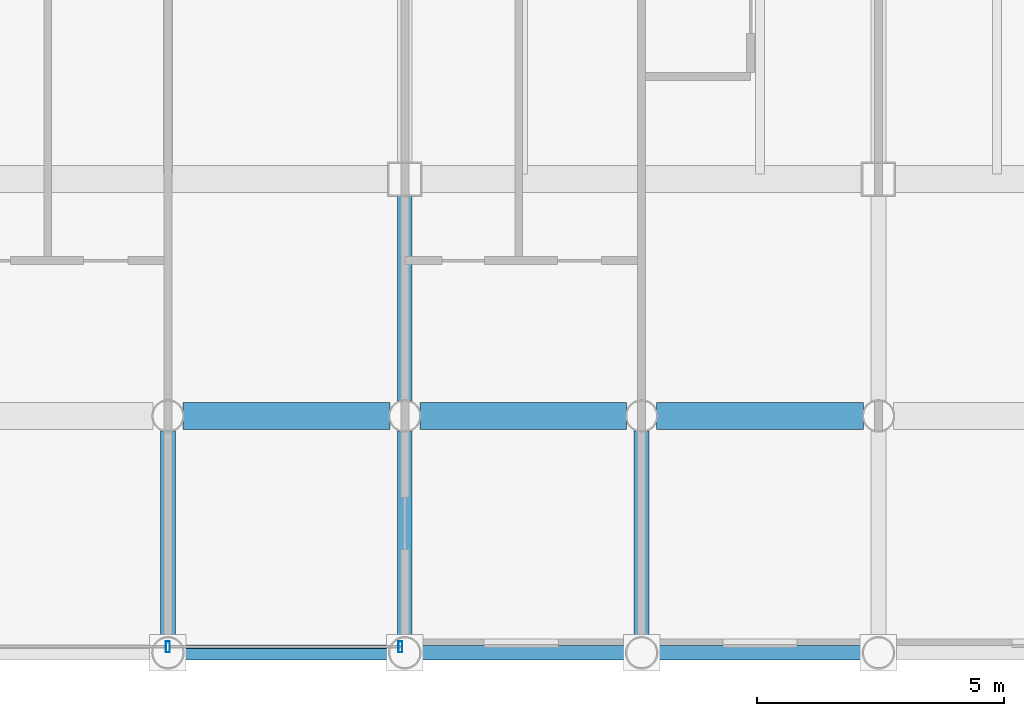
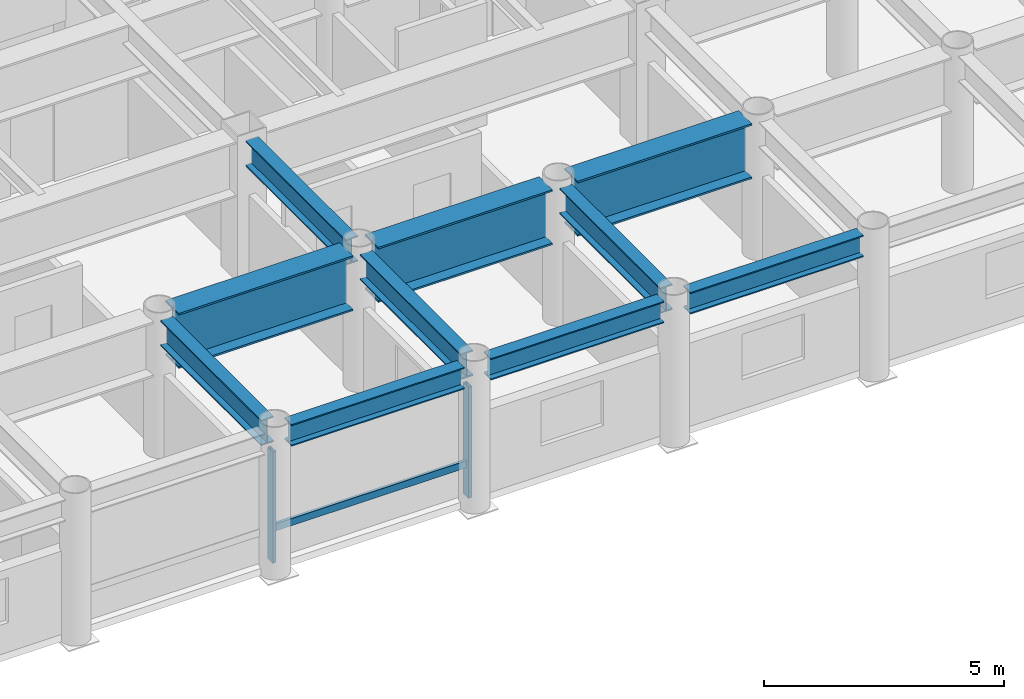
# One storey, part 7 of 22: 10 beams, 3 members, 1 element without a shape of its own.
"""IFC4 building model written with IfcOpenShell, lengths in metres."""

from ifc_helpers import new_model, si_unit, direction, frame, origin, origin_2d, place, context, subcontext, project, spatial, hollow_rectangle, i_section, extrude, material, layer, layer_set, material_profile, profile_set, type_object, element, aggregate, save


model = new_model("IFC4")

# Units and contexts
model_context = context("Model", 3, precision=1e-05, world=origin(), true_north=direction((0.0, 1.0)))
body_context = subcontext(model_context, "Body", "Model", "MODEL_VIEW")
ifc_project = project(units=[si_unit("LENGTHUNIT", "METRE"), si_unit("AREAUNIT", "SQUARE_METRE"), si_unit("VOLUMEUNIT", "CUBIC_METRE"), si_unit("PLANEANGLEUNIT", "RADIAN"), si_unit("MASSUNIT", "GRAM", prefix="KILO")], contexts=[model_context])

# Site, building, storey
site_placement = place(None, origin())
site = spatial("IfcSite", under=ifc_project, at=site_placement, CompositionType="ELEMENT")
building_placement = place(site_placement, origin())
building = spatial("IfcBuilding", under=site, at=building_placement, Name="Kallvorn Hotel Tower", CompositionType="ELEMENT")
storey_placement = place(building_placement, frame((0.0, 0.0, 154.39990234375)))
storey = spatial("IfcBuildingStorey", under=building, at=storey_placement, Name="L38", CompositionType="ELEMENT", Elevation=154.39990234375)

# Beams
ifc_material_1 = material(Name="Structural steel S355JR", Category="steel")
ifc_material_profile_1 = material_profile(ifc_material_1, i_section(OverallWidth=0.300048828125, OverallDepth=0.550048828125, WebThickness=0.014892578125, FlangeThickness=0.029052734375, at=origin_2d()), Name="HE 550 B")
ifc_profile_set_1 = profile_set([ifc_material_profile_1], Name="Structural steel S355JR")
beam_type_1 = type_object("IfcBeamType", Name="BM_HE550B", PredefinedType="SPANDREL", material=ifc_profile_set_1)
for number, where, z_axis, x_axis, name in (
    (1, (0.320068359375, -24.0, 3.2451171875), (1.0, 0.0, 0.0), (0.0, 1.0, 0.0), "L39 Perimeter Spandrel 157"),
    (2, (5.1201171875, -24.0, 3.2451171875), (1.0, 0.0, 0.0), (0.0, 1.0, 0.0), "L39 Perimeter Spandrel 158"),
):
    element("IfcBeam", number, at=place(storey_placement, frame(where, z_axis=z_axis, x_axis=x_axis)), inside=storey, type_object=beam_type_1, Name=name, PredefinedType="SPANDREL", context=body_context, shape_type="SweptSolid", body=[
        extrude(i_section(OverallWidth=0.300048828125, OverallDepth=0.550048828125, WebThickness=0.014892578125, FlangeThickness=0.029052734375, at=origin_2d()), origin(), (0.0, 0.0, 1.0), 4.159912109375),
    ])
beam_1_placement = place(storey_placement, frame((9.919921875, -24.0, 3.2451171875), z_axis=(1.0, 0.0, 0.0), x_axis=(0.0, 1.0, 0.0)))
element("IfcBeam", 3, at=beam_1_placement, inside=storey, type_object=beam_type_1, Name="L39 Perimeter Spandrel 159", PredefinedType="SPANDREL", context=body_context, shape_type="SweptSolid", body=[
    extrude(i_section(OverallWidth=0.300048828125, OverallDepth=0.550048828125, WebThickness=0.014892578125, FlangeThickness=0.029052734375, at=origin_2d()), origin(), (0.0, 0.0, 1.0), 4.16015625),
])
ifc_material_2 = material(Name="Structural steel S355JR", Category="steel")
ifc_material_profile_2 = material_profile(ifc_material_2, i_section(OverallWidth=0.300048828125, OverallDepth=0.64990234375, WebThickness=0.01611328125, FlangeThickness=0.031005859375, at=origin_2d()), Name="HE 650 B")
ifc_profile_set_2 = profile_set([ifc_material_profile_2], Name="Structural steel S355JR")
beam_type_2 = type_object("IfcBeamType", Name="BM_HE650B", PredefinedType="BEAM", material=ifc_profile_set_2)
for number, where, z_axis, x_axis, name in (
    (4, (0.0, -23.695068359375, 3.195068359375), (0.0, 1.0, 0.0), (-1.0, 0.0, 0.0), "L39 Primary Y-Girder 111"),
    (5, (4.800048828125, -23.695068359375, 3.195068359375), (0.0, 1.0, 0.0), (-1.0, 0.0, 0.0), "L39 Primary Y-Girder 114"),
):
    element("IfcBeam", number, at=place(storey_placement, frame(where, z_axis=z_axis, x_axis=x_axis)), inside=storey, type_object=beam_type_2, Name=name, PredefinedType="BEAM", context=body_context, shape_type="SweptSolid", body=[
        extrude(i_section(OverallWidth=0.300048828125, OverallDepth=0.64990234375, WebThickness=0.01611328125, FlangeThickness=0.031005859375, at=origin_2d()), origin(), (0.0, 0.0, 1.0), 4.190185546875),
    ])
beam_2_placement = place(storey_placement, frame((4.800048828125, -18.89501953125, 3.195068359375), z_axis=(0.0, 1.0, 0.0), x_axis=(-1.0, 0.0, 0.0)))
element("IfcBeam", 6, at=beam_2_placement, inside=storey, type_object=beam_type_2, Name="L39 Primary Y-Girder 115", PredefinedType="BEAM", context=body_context, shape_type="SweptSolid", body=[
    extrude(i_section(OverallWidth=0.300048828125, OverallDepth=0.64990234375, WebThickness=0.01611328125, FlangeThickness=0.031005859375, at=origin_2d()), origin(), (0.0, 0.0, 1.0), 4.169921875),
])
beam_3_placement = place(storey_placement, frame((9.60009765625, -23.695068359375, 3.195068359375), z_axis=(0.0, 1.0, 0.0), x_axis=(-1.0, 0.0, 0.0)))
element("IfcBeam", 7, at=beam_3_placement, inside=storey, type_object=beam_type_2, Name="L39 Primary Y-Girder 119", PredefinedType="BEAM", context=body_context, shape_type="SweptSolid", body=[
    extrude(i_section(OverallWidth=0.300048828125, OverallDepth=0.64990234375, WebThickness=0.01611328125, FlangeThickness=0.031005859375, at=origin_2d()), origin(), (0.0, 0.0, 1.0), 4.190185546875),
])
ifc_material_3 = material(Name="Structural steel S355JR", Category="steel")
ifc_material_profile_3 = material_profile(ifc_material_3, i_section(OverallWidth=0.550048828125, OverallDepth=1.39990234375, WebThickness=0.02490234375, FlangeThickness=0.044921875, at=origin_2d()), Name="PG 1400x550x25x45")
ifc_profile_set_3 = profile_set([ifc_material_profile_3], Name="Structural steel S355JR")
beam_type_3 = type_object("IfcBeamType", Name="BM_PG_1400", PredefinedType="BEAM", material=ifc_profile_set_3)
beam_4_placement = place(storey_placement, frame((0.304931640625, -19.199951171875, 2.820068359375), z_axis=(1.0, 0.0, 0.0), x_axis=(0.0, 1.0, 0.0)))
element("IfcBeam", 8, at=beam_4_placement, inside=storey, type_object=beam_type_3, Name="L39 Primary X-Girder 08", PredefinedType="BEAM", context=body_context, shape_type="SweptSolid", body=[
    extrude(i_section(OverallWidth=0.550048828125, OverallDepth=1.39990234375, WebThickness=0.02490234375, FlangeThickness=0.044921875, at=origin_2d()), origin(), (0.0, 0.0, 1.0), 4.190185546875),
])
for number, where, z_axis, x_axis, name in (
    (9, (5.10498046875, -19.199951171875, 2.820068359375), (1.0, 0.0, 0.0), (0.0, 1.0, 0.0), "L39 Primary X-Girder 09"),
    (10, (9.905029296875, -19.199951171875, 2.820068359375), (1.0, 0.0, 0.0), (0.0, 1.0, 0.0), "L39 Primary X-Girder 10"),
):
    element("IfcBeam", number, at=place(storey_placement, frame(where, z_axis=z_axis, x_axis=x_axis)), inside=storey, type_object=beam_type_3, Name=name, PredefinedType="BEAM", context=body_context, shape_type="SweptSolid", body=[
        extrude(i_section(OverallWidth=0.550048828125, OverallDepth=1.39990234375, WebThickness=0.02490234375, FlangeThickness=0.044921875, at=origin_2d()), origin(), (0.0, 0.0, 1.0), 4.18994140625),
    ])

# Curtain wall, members
ifc_material_4 = material(Name="Thermally broken black-anodised aluminium AA 6063-T6", Category="aluminium")
ifc_layer = layer(ifc_material_4, 0.2099609375)
ifc_layer_set = layer_set([ifc_layer], Name="CW_SYS_4_HOTEL_MID")
curtain_wall_type = type_object("IfcCurtainWallType", Name="CW_SYS_4_HOTEL_MID", PredefinedType="USERDEFINED", material=ifc_layer_set)
curtain_wall_placement = place(storey_placement, origin())
curtain_wall = element("IfcCurtainWall", 11, at=curtain_wall_placement, inside=storey, type_object=curtain_wall_type, Name="L38 Dark-Glass Curtain Wall CW-L38-SC", ObjectType="UNITISED CURTAIN WALL", PredefinedType="USERDEFINED")
ifc_material_5 = material(Name="Thermally broken black-anodised aluminium AA 6063-T6", Category="aluminium")
ifc_material_profile_4 = material_profile(ifc_material_5, hollow_rectangle(XDim=0.080078125, YDim=0.219970703125, WallThickness=0.0048828125, at=origin_2d()), Name="MUL 220x80")
ifc_profile_set_4 = profile_set([ifc_material_profile_4], Name="Thermally broken black-anodised aluminium AA 6063-T6")
member_type_1 = type_object("IfcMemberType", Name="CW_MULLION_220x80", PredefinedType="MULLION", material=ifc_profile_set_4)
member_1_placement = place(storey_placement, frame((0.0, -23.8798828125, 0.02001953125), z_axis=(0.0, 0.0, 1.0), x_axis=(1.0, 0.0, 0.0)))
member_1 = element("IfcMember", 12, at=member_1_placement, type_object=member_type_1, Name="CW-L38-SC Mullion 01", PredefinedType="MULLION", context=body_context, shape_type="SweptSolid", body=[
    extrude(hollow_rectangle(XDim=0.080078125, YDim=0.219970703125, WallThickness=0.0048828125, at=origin_2d()), origin(), (0.0, 0.0, 1.0), 2.830078125),
])
member_2_placement = place(storey_placement, frame((4.7099609375, -23.8798828125, 0.02001953125), z_axis=(0.0, 0.0, 1.0), x_axis=(1.0, 0.0, 0.0)))
member_2 = element("IfcMember", 13, at=member_2_placement, type_object=member_type_1, Name="CW-L38-SC Mullion 02", PredefinedType="MULLION", context=body_context, shape_type="SweptSolid", body=[
    extrude(hollow_rectangle(XDim=0.080078125, YDim=0.219970703125, WallThickness=0.0048828125, at=origin_2d()), origin(), (0.0, 0.0, 1.0), 2.830078125),
])
ifc_material_6 = material(Name="Thermally broken black-anodised aluminium AA 6063-T6", Category="aluminium")
ifc_material_profile_5 = material_profile(ifc_material_6, hollow_rectangle(XDim=0.070068359375, YDim=0.179931640625, WallThickness=0.00390625, at=origin_2d()), Name="TRN 180x70")
ifc_profile_set_5 = profile_set([ifc_material_profile_5], Name="Thermally broken black-anodised aluminium AA 6063-T6")
member_type_2 = type_object("IfcMemberType", Name="CW_TRANSOM_180x70", PredefinedType="USERDEFINED", material=ifc_profile_set_5)
member_3_placement = place(storey_placement, frame((0.0400390625, -23.8798828125, 0.85009765625), z_axis=(1.0, 0.0, 0.0), x_axis=(0.0, 1.0, 0.0)))
member_3 = element("IfcMember", 14, at=member_3_placement, type_object=member_type_2, Name="CW-L38-SC Transom 01M", ObjectType="TRANSOM", PredefinedType="USERDEFINED", context=body_context, shape_type="SweptSolid", body=[
    extrude(hollow_rectangle(XDim=0.070068359375, YDim=0.179931640625, WallThickness=0.00390625, at=origin_2d()), origin(), (0.0, 0.0, 1.0), 4.669921875),
])
aggregate(curtain_wall, [member_1, member_2, member_3])

save(model, "model.ifc")
